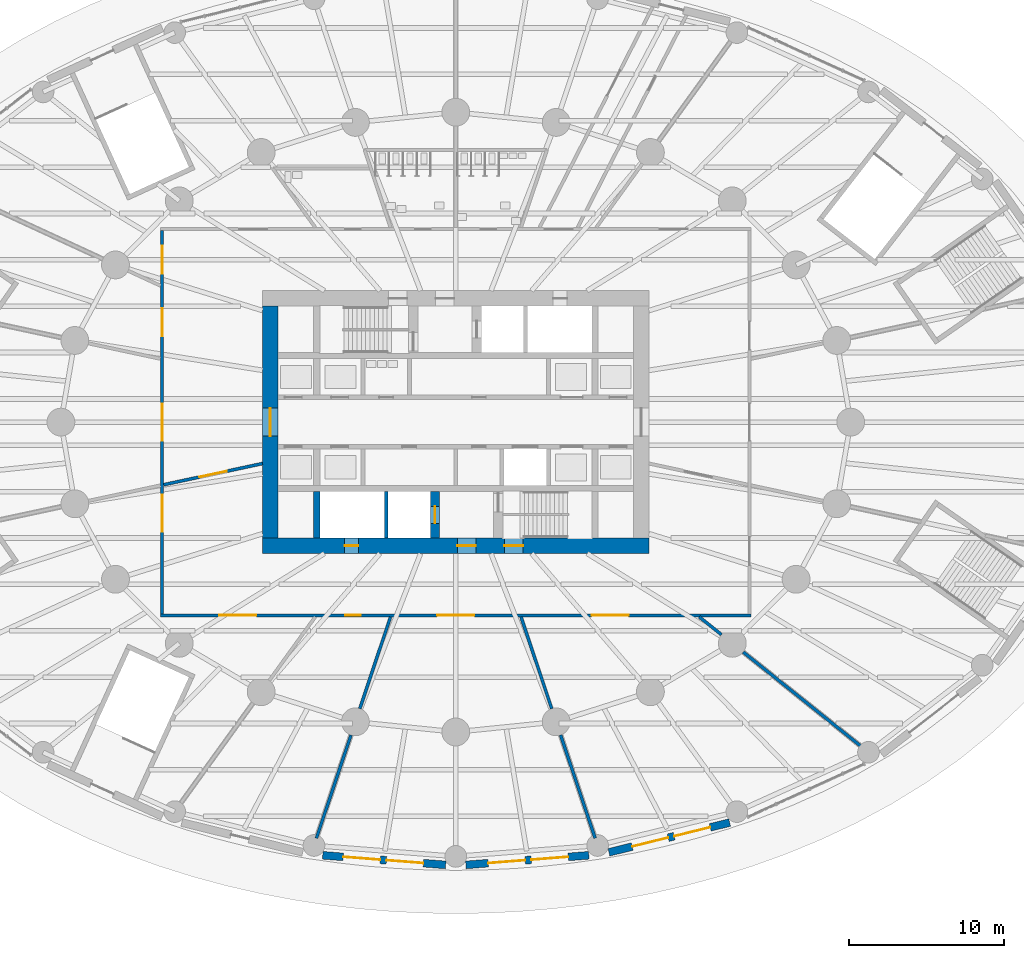
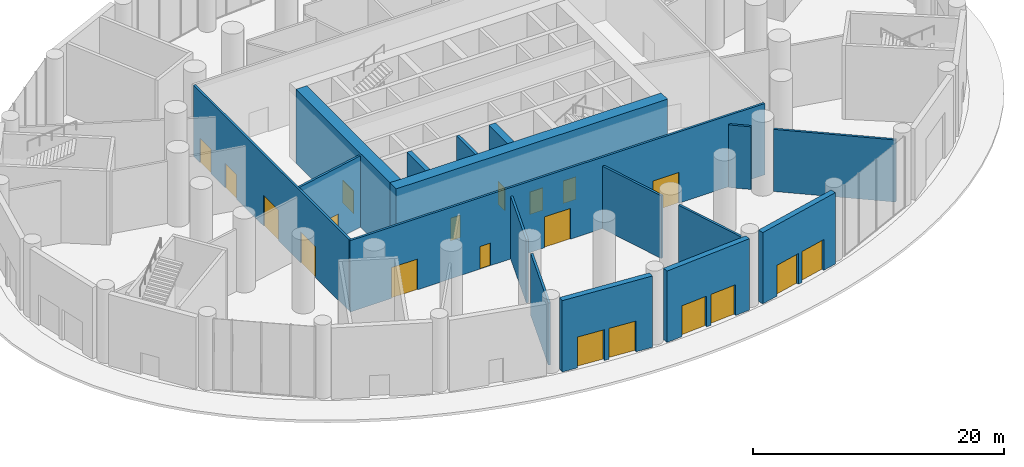
# One storey, part 14 of 22: 20 doors, 17 walls, 20 openings.
"""IFC4 building model written with IfcOpenShell, lengths in metres."""

from ifc_helpers import new_model, si_unit, direction, frame, frame_2d, origin, place, context, subcontext, project, spatial, rectangle, extrude, material, layer, layer_set, type_object, element, fill, save


model = new_model("IFC4")

# Units and contexts
model_context = context("Model", 3, precision=1e-05, world=origin(), true_north=direction((0.0, 1.0)))
body_context = subcontext(model_context, "Body", "Model", "MODEL_VIEW")
ifc_project = project(units=[si_unit("LENGTHUNIT", "METRE"), si_unit("AREAUNIT", "SQUARE_METRE"), si_unit("VOLUMEUNIT", "CUBIC_METRE"), si_unit("PLANEANGLEUNIT", "RADIAN"), si_unit("MASSUNIT", "GRAM", prefix="KILO")], contexts=[model_context])

# Site, building, storey
site_placement = place(None, origin())
site = spatial("IfcSite", under=ifc_project, at=site_placement, CompositionType="ELEMENT")
building_placement = place(site_placement, origin())
building = spatial("IfcBuilding", under=site, at=building_placement, Name="Hankou Lantern Tower", CompositionType="ELEMENT")
storey_placement = place(building_placement, origin())
storey = spatial("IfcBuildingStorey", under=building, at=storey_placement, Name="L00", CompositionType="ELEMENT", Elevation=0.0)

# Wall, openings, doors
ifc_material_1 = material(Name="Concrete C60", Category="concrete")
ifc_layer_1 = layer(ifc_material_1, 1.0)
ifc_layer_set_1 = layer_set([ifc_layer_1], Name="Concrete C60")
wall_type_1 = type_object("IfcWallType", Name="CW1 CORE WALL 1000", PredefinedType="SHEAR", material=ifc_layer_set_1)
wall_1_placement = place(storey_placement, frame((12.5, -8.0, 0.0), z_axis=(0.0, 0.0, 1.0), x_axis=(-1.0, 0.0, 0.0)))
wall_1 = element("IfcWall", 1, at=wall_1_placement, inside=storey, type_object=wall_type_1, Name="Core wall south L00", PredefinedType="SHEAR", context=body_context, shape_type="SweptSolid", body=[
    extrude(rectangle(XDim=25.0, YDim=1.0, at=frame_2d((12.5, 0.0))), origin(), (0.0, 0.0, 1.0), 7.199951171875),
])
opening_1_placement = place(wall_1_placement, frame((11.199951171875, 0.0, 0.0)))
opening_1 = element("IfcOpeningElement", 2, at=opening_1_placement, cuts=wall_1, Name="Opening D5", PredefinedType="OPENING", context=body_context, shape_type="SweptSolid", body=[
    extrude(rectangle(XDim=1.199951171875, YDim=2.199951171875, at=frame_2d((0.60009765625, 1.10009765625))), frame((0.0, 0.510009765625, 0.0), z_axis=(0.0, -1.0, 0.0), x_axis=(1.0, 0.0, 0.0)), (0.0, 0.0, 1.0), 1.02001953125),
])
opening_2_placement = place(wall_1_placement, frame((8.14990234375, 0.0, 0.0)))
opening_2 = element("IfcOpeningElement", 3, at=opening_2_placement, cuts=wall_1, Name="Opening D5", PredefinedType="OPENING", context=body_context, shape_type="SweptSolid", body=[
    extrude(rectangle(XDim=1.199951171875, YDim=2.199951171875, at=frame_2d((0.60009765625, 1.10009765625))), frame((0.0, 0.510009765625, 0.0), z_axis=(0.0, -1.0, 0.0), x_axis=(1.0, 0.0, 0.0)), (0.0, 0.0, 1.0), 1.02001953125),
])
opening_3_placement = place(wall_1_placement, frame((18.800048828125, 0.0, 0.0)))
opening_3 = element("IfcOpeningElement", 4, at=opening_3_placement, cuts=wall_1, Name="Opening D44", PredefinedType="OPENING", context=body_context, shape_type="SweptSolid", body=[
    extrude(rectangle(XDim=0.89990234375, YDim=2.199951171875, at=frame_2d((0.449951171875, 1.10009765625))), frame((0.0, 0.510009765625, 0.0), z_axis=(0.0, -1.0, 0.0), x_axis=(1.0, 0.0, 0.0)), (0.0, 0.0, 1.0), 1.02001953125),
])
ifc_material_2 = material(Name="Steel door leaf", Category="steel")
door_type_1 = type_object("IfcDoorType", Name="D44 CLASS B RISER DOOR 900X2200", OperationType="SINGLE_SWING_LEFT", PredefinedType="DOOR", material=ifc_material_2)
door_1_placement = place(opening_3_placement, origin())
door_1 = element("IfcDoor", 5, at=door_1_placement, inside=storey, type_object=door_type_1, Name="Riser S1 door", OperationType="SINGLE_SWING_RIGHT", OverallHeight=2.199951171875, OverallWidth=0.89990234375, PredefinedType="DOOR", context=body_context, shape_type="SweptSolid", body=[
    extrude(rectangle(XDim=0.89990234375, YDim=2.199951171875, at=frame_2d((0.449951171875, 1.10009765625))), frame((0.0, 0.02490234375, 0.0), z_axis=(0.0, -1.0, 0.0), x_axis=(1.0, 0.0, 0.0)), (0.0, 0.0, 1.0), 0.050048828125),
])
fill(opening_3, door_1)
ifc_material_3 = material(Name="Steel door leaf", Category="steel")
door_type_2 = type_object("IfcDoorType", Name="D5 STAIR LOBBY DOOR 1200X2200", OperationType="SINGLE_SWING_LEFT", PredefinedType="DOOR", material=ifc_material_3)
door_2_placement = place(opening_1_placement, origin())
door_2 = element("IfcDoor", 6, at=door_2_placement, inside=storey, type_object=door_type_2, Name="Stair B lobby door", OperationType="SINGLE_SWING_LEFT", OverallHeight=2.199951171875, OverallWidth=1.199951171875, PredefinedType="DOOR", context=body_context, shape_type="SweptSolid", body=[
    extrude(rectangle(XDim=1.199951171875, YDim=2.199951171875, at=frame_2d((0.60009765625, 1.10009765625))), frame((0.0, 0.02490234375, 0.0), z_axis=(0.0, -1.0, 0.0), x_axis=(1.0, 0.0, 0.0)), (0.0, 0.0, 1.0), 0.050048828125),
])
fill(opening_1, door_2)
door_3_placement = place(opening_2_placement, origin())
door_3 = element("IfcDoor", 7, at=door_3_placement, inside=storey, type_object=door_type_2, Name="Stair B basement exit door", OperationType="SINGLE_SWING_LEFT", OverallHeight=2.199951171875, OverallWidth=1.199951171875, PredefinedType="DOOR", context=body_context, shape_type="SweptSolid", body=[
    extrude(rectangle(XDim=1.199951171875, YDim=2.199951171875, at=frame_2d((0.60009765625, 1.10009765625))), frame((0.0, 0.02490234375, 0.0), z_axis=(0.0, -1.0, 0.0), x_axis=(1.0, 0.0, 0.0)), (0.0, 0.0, 1.0), 0.050048828125),
])
fill(opening_2, door_3)

# Wall, opening, door
wall_2_placement = place(storey_placement, frame((-12.0, 7.5, 0.0), z_axis=(0.0, 0.0, 1.0), x_axis=(0.0, -1.0, 0.0)))
wall_2 = element("IfcWall", 8, at=wall_2_placement, inside=storey, type_object=wall_type_1, Name="Core wall west L00", PredefinedType="SHEAR", context=body_context, shape_type="SweptSolid", body=[
    extrude(rectangle(XDim=15.0, YDim=1.0, at=frame_2d((7.5, 0.0))), origin(), (0.0, 0.0, 1.0), 7.199951171875),
])
opening_4_placement = place(wall_2_placement, frame((6.60009765625, 0.0, 0.0)))
opening_4 = element("IfcOpeningElement", 9, at=opening_4_placement, cuts=wall_2, Name="Opening D6", PredefinedType="OPENING", context=body_context, shape_type="SweptSolid", body=[
    extrude(rectangle(XDim=1.800048828125, YDim=2.199951171875, at=frame_2d((0.89990234375, 1.10009765625))), frame((0.0, 0.510009765625, 0.0), z_axis=(0.0, -1.0, 0.0), x_axis=(1.0, 0.0, 0.0)), (0.0, 0.0, 1.0), 1.02001953125),
])
ifc_material_4 = material(Name="Steel door leaf", Category="steel")
door_type_3 = type_object("IfcDoorType", Name="D6 LIFT LOBBY DOOR 1800X2200", OperationType="DOUBLE_DOOR_DOUBLE_SWING", PredefinedType="DOOR", material=ifc_material_4)
door_4_placement = place(opening_4_placement, origin())
door_4 = element("IfcDoor", 10, at=door_4_placement, inside=storey, type_object=door_type_3, Name="Lift lobby west door", OperationType="DOUBLE_DOOR_DOUBLE_SWING", OverallHeight=2.199951171875, OverallWidth=1.800048828125, PredefinedType="DOOR", context=body_context, shape_type="SweptSolid", body=[
    extrude(rectangle(XDim=1.800048828125, YDim=2.199951171875, at=frame_2d((0.89990234375, 1.10009765625))), frame((0.0, 0.02490234375, 0.0), z_axis=(0.0, -1.0, 0.0), x_axis=(1.0, 0.0, 0.0)), (0.0, 0.0, 1.0), 0.050048828125),
])
fill(opening_4, door_4)

# Wall
ifc_material_5 = material(Name="Concrete C60", Category="concrete")
ifc_layer_2 = layer(ifc_material_5, 0.39990234375)
ifc_layer_set_2 = layer_set([ifc_layer_2], Name="Concrete C60")
wall_type_2 = type_object("IfcWallType", Name="CW4 CORE CROSS WALL 400", PredefinedType="SHEAR", material=ifc_layer_set_2)
wall_3_placement = place(storey_placement, frame((-9.0, -7.5, 0.0), z_axis=(0.0, 0.0, 1.0), x_axis=(0.0, 1.0, 0.0)))
element("IfcWall", 11, at=wall_3_placement, inside=storey, type_object=wall_type_2, Name="Core strip wall L00", PredefinedType="SHEAR", context=body_context, shape_type="SweptSolid", body=[
    extrude(rectangle(XDim=3.0, YDim=0.39990234375, at=frame_2d((1.5, 0.0))), origin(), (0.0, 0.0, 1.0), 7.199951171875),
])

# Wall, opening, door
ifc_material_6 = material(Name="Concrete C60", Category="concrete")
ifc_layer_3 = layer(ifc_material_6, 0.60009765625)
ifc_layer_set_3 = layer_set([ifc_layer_3], Name="Concrete C60")
wall_type_3 = type_object("IfcWallType", Name="CW6 STAIR AND SHAFT WALL 600", PredefinedType="SHEAR", material=ifc_layer_set_3)
wall_4_placement = place(storey_placement, frame((-1.35009765625, -7.5, 0.0), z_axis=(0.0, 0.0, 1.0), x_axis=(0.0, 1.0, 0.0)))
wall_4 = element("IfcWall", 12, at=wall_4_placement, inside=storey, type_object=wall_type_3, Name="Firefighting lift shaft wall L00", PredefinedType="SHEAR", context=body_context, shape_type="SweptSolid", body=[
    extrude(rectangle(XDim=3.0, YDim=0.60009765625, at=frame_2d((1.5, 0.0))), origin(), (0.0, 0.0, 1.0), 7.199951171875),
])
opening_5_placement = place(wall_4_placement, frame((0.949951171875, 0.0, 0.0)))
opening_5 = element("IfcOpeningElement", 13, at=opening_5_placement, cuts=wall_4, Name="Opening LD2", PredefinedType="OPENING", context=body_context, shape_type="SweptSolid", body=[
    extrude(rectangle(XDim=1.10009765625, YDim=2.199951171875, at=frame_2d((0.550048828125, 1.10009765625))), frame((0.0, 0.31005859375, 0.0), z_axis=(0.0, -1.0, 0.0), x_axis=(1.0, 0.0, 0.0)), (0.0, 0.0, 1.0), 0.6201171875),
])
ifc_material_7 = material(Name="Steel door leaf", Category="steel")
door_type_4 = type_object("IfcDoorType", Name="LD2 FIREFIGHTING LIFT LANDING DOOR 1100X2200", OperationType="DOUBLE_DOOR_SLIDING", PredefinedType="DOOR", material=ifc_material_7)
door_5_placement = place(opening_5_placement, origin())
door_5 = element("IfcDoor", 14, at=door_5_placement, inside=storey, type_object=door_type_4, Name="Firefighting lift FL2 landing door", OperationType="DOUBLE_DOOR_SLIDING", OverallHeight=2.199951171875, OverallWidth=1.10009765625, PredefinedType="DOOR", context=body_context, shape_type="SweptSolid", body=[
    extrude(rectangle(XDim=1.10009765625, YDim=2.199951171875, at=frame_2d((0.550048828125, 1.10009765625))), frame((0.0, 0.02490234375, 0.0), z_axis=(0.0, -1.0, 0.0), x_axis=(1.0, 0.0, 0.0)), (0.0, 0.0, 1.0), 0.050048828125),
])
fill(opening_5, door_5)

# Wall, openings, doors
ifc_material_8 = material(Name="Granite cladding on reinforced concrete C50", Category="masonry")
ifc_layer_4 = layer(ifc_material_8, 0.5)
ifc_layer_set_4 = layer_set([ifc_layer_4], Name="Granite cladding on reinforced concrete C50")
wall_type_4 = type_object("IfcWallType", Name="EW2 STONE PORTAL WALL 500", PredefinedType="SOLIDWALL", material=ifc_layer_set_4)
wall_5_placement = place(storey_placement, frame((-8.607666015625, -28.026123046875, 0.0), z_axis=(0.0, 0.0, 1.0), x_axis=(0.996950620384, -0.078034995456, 0.0)))
wall_5 = element("IfcWall", 15, at=wall_5_placement, inside=storey, type_object=wall_type_4, Name="Portal wall R18 L00", PredefinedType="SOLIDWALL", context=body_context, shape_type="SweptSolid", body=[
    extrude(rectangle(XDim=7.97802734375, YDim=0.5, at=frame_2d((3.989013671875, 0.0))), origin(), (0.0, 0.0, 1.0), 6.949951171875),
])
opening_6_placement = place(wall_5_placement, frame((1.336181640625, 0.0, 0.0)))
opening_6 = element("IfcOpeningElement", 16, at=opening_6_placement, cuts=wall_5, Name="Opening D18", PredefinedType="OPENING", context=body_context, shape_type="SweptSolid", body=[
    extrude(rectangle(XDim=2.39990234375, YDim=3.0, at=frame_2d((1.199951171875, 1.5))), frame((0.0, 0.260009765625, 0.0), z_axis=(0.0, -1.0, 0.0), x_axis=(1.0, 0.0, 0.0)), (0.0, 0.0, 1.0), 0.52001953125),
])
opening_7_placement = place(wall_5_placement, frame((4.135986328125, 0.0, 0.0)))
opening_7 = element("IfcOpeningElement", 17, at=opening_7_placement, cuts=wall_5, Name="Opening D18", PredefinedType="OPENING", context=body_context, shape_type="SweptSolid", body=[
    extrude(rectangle(XDim=2.39990234375, YDim=3.0, at=frame_2d((1.199951171875, 1.5))), frame((0.0, 0.260009765625, 0.0), z_axis=(0.0, -1.0, 0.0), x_axis=(1.0, 0.0, 0.0)), (0.0, 0.0, 1.0), 0.52001953125),
])
ifc_material_9 = material(Name="Aluminium framed glazed door", Category="aluminium")
door_type_5 = type_object("IfcDoorType", Name="D18 ENTRANCE DOOR 2400X3000", OperationType="DOUBLE_DOOR_DOUBLE_SWING", PredefinedType="DOOR", material=ifc_material_9)
door_6_placement = place(opening_6_placement, origin())
door_6 = element("IfcDoor", 18, at=door_6_placement, inside=storey, type_object=door_type_5, Name="Entrance door R18a", OperationType="DOUBLE_DOOR_DOUBLE_SWING", OverallHeight=3.0, OverallWidth=2.39990234375, PredefinedType="DOOR", context=body_context, shape_type="SweptSolid", body=[
    extrude(rectangle(XDim=2.39990234375, YDim=3.0, at=frame_2d((1.199951171875, 1.5))), frame((0.0, 0.02490234375, 0.0), z_axis=(0.0, -1.0, 0.0), x_axis=(1.0, 0.0, 0.0)), (0.0, 0.0, 1.0), 0.050048828125),
])
fill(opening_6, door_6)
door_7_placement = place(opening_7_placement, origin())
door_7 = element("IfcDoor", 19, at=door_7_placement, inside=storey, type_object=door_type_5, Name="Entrance door R18b", OperationType="DOUBLE_DOOR_DOUBLE_SWING", OverallHeight=3.0, OverallWidth=2.39990234375, PredefinedType="DOOR", context=body_context, shape_type="SweptSolid", body=[
    extrude(rectangle(XDim=2.39990234375, YDim=3.0, at=frame_2d((1.199951171875, 1.5))), frame((0.0, 0.02490234375, 0.0), z_axis=(0.0, -1.0, 0.0), x_axis=(1.0, 0.0, 0.0)), (0.0, 0.0, 1.0), 0.050048828125),
])
fill(opening_7, door_7)

wall_6_placement = place(storey_placement, frame((0.654052734375, -28.648681640625, 0.0), z_axis=(0.0, 0.0, 1.0), x_axis=(0.996950620384, 0.078034995456, 0.0)))
wall_6 = element("IfcWall", 20, at=wall_6_placement, inside=storey, type_object=wall_type_4, Name="Portal wall R19 L00", PredefinedType="SOLIDWALL", context=body_context, shape_type="SweptSolid", body=[
    extrude(rectangle(XDim=7.97802734375, YDim=0.5, at=frame_2d((3.989013671875, 0.0))), origin(), (0.0, 0.0, 1.0), 6.949951171875),
])
opening_8_placement = place(wall_6_placement, frame((1.441650390625, 0.0, 0.0)))
opening_8 = element("IfcOpeningElement", 21, at=opening_8_placement, cuts=wall_6, Name="Opening D18", PredefinedType="OPENING", context=body_context, shape_type="SweptSolid", body=[
    extrude(rectangle(XDim=2.39990234375, YDim=3.0, at=frame_2d((1.199951171875, 1.5))), frame((0.0, 0.260009765625, 0.0), z_axis=(0.0, -1.0, 0.0), x_axis=(1.0, 0.0, 0.0)), (0.0, 0.0, 1.0), 0.52001953125),
])
opening_9_placement = place(wall_6_placement, frame((4.24169921875, 0.0, 0.0)))
opening_9 = element("IfcOpeningElement", 22, at=opening_9_placement, cuts=wall_6, Name="Opening D18", PredefinedType="OPENING", context=body_context, shape_type="SweptSolid", body=[
    extrude(rectangle(XDim=2.39990234375, YDim=3.0, at=frame_2d((1.199951171875, 1.5))), frame((0.0, 0.260009765625, 0.0), z_axis=(0.0, -1.0, 0.0), x_axis=(1.0, 0.0, 0.0)), (0.0, 0.0, 1.0), 0.52001953125),
])
door_8_placement = place(opening_8_placement, origin())
door_8 = element("IfcDoor", 23, at=door_8_placement, inside=storey, type_object=door_type_5, Name="Entrance door R19a", OperationType="DOUBLE_DOOR_DOUBLE_SWING", OverallHeight=3.0, OverallWidth=2.39990234375, PredefinedType="DOOR", context=body_context, shape_type="SweptSolid", body=[
    extrude(rectangle(XDim=2.39990234375, YDim=3.0, at=frame_2d((1.199951171875, 1.5))), frame((0.0, 0.02490234375, 0.0), z_axis=(0.0, -1.0, 0.0), x_axis=(1.0, 0.0, 0.0)), (0.0, 0.0, 1.0), 0.050048828125),
])
fill(opening_8, door_8)
door_9_placement = place(opening_9_placement, origin())
door_9 = element("IfcDoor", 24, at=door_9_placement, inside=storey, type_object=door_type_5, Name="Entrance door R19b", OperationType="DOUBLE_DOOR_DOUBLE_SWING", OverallHeight=3.0, OverallWidth=2.39990234375, PredefinedType="DOOR", context=body_context, shape_type="SweptSolid", body=[
    extrude(rectangle(XDim=2.39990234375, YDim=3.0, at=frame_2d((1.199951171875, 1.5))), frame((0.0, 0.02490234375, 0.0), z_axis=(0.0, -1.0, 0.0), x_axis=(1.0, 0.0, 0.0)), (0.0, 0.0, 1.0), 0.050048828125),
])
fill(opening_9, door_9)

wall_7_placement = place(storey_placement, frame((9.90673828125, -27.83349609375, 0.0), z_axis=(0.0, 0.0, 1.0), x_axis=(0.970964815964, 0.23922233625, 0.0)))
wall_7 = element("IfcWall", 25, at=wall_7_placement, inside=storey, type_object=wall_type_4, Name="Portal wall R20 L00", PredefinedType="SOLIDWALL", context=body_context, shape_type="SweptSolid", body=[
    extrude(rectangle(XDim=8.048095703125, YDim=0.5, at=frame_2d((4.02392578125, 0.0))), origin(), (0.0, 0.0, 1.0), 6.949951171875),
])
opening_10_placement = place(wall_7_placement, frame((1.552978515625, 0.0, 0.0)))
opening_10 = element("IfcOpeningElement", 26, at=opening_10_placement, cuts=wall_7, Name="Opening D18", PredefinedType="OPENING", context=body_context, shape_type="SweptSolid", body=[
    extrude(rectangle(XDim=2.39990234375, YDim=3.0, at=frame_2d((1.199951171875, 1.5))), frame((0.0, 0.260009765625, 0.0), z_axis=(0.0, -1.0, 0.0), x_axis=(1.0, 0.0, 0.0)), (0.0, 0.0, 1.0), 0.52001953125),
])
opening_11_placement = place(wall_7_placement, frame((4.35302734375, 0.0, 0.0)))
opening_11 = element("IfcOpeningElement", 27, at=opening_11_placement, cuts=wall_7, Name="Opening D18", PredefinedType="OPENING", context=body_context, shape_type="SweptSolid", body=[
    extrude(rectangle(XDim=2.39990234375, YDim=3.0, at=frame_2d((1.199951171875, 1.5))), frame((0.0, 0.260009765625, 0.0), z_axis=(0.0, -1.0, 0.0), x_axis=(1.0, 0.0, 0.0)), (0.0, 0.0, 1.0), 0.52001953125),
])
door_10_placement = place(opening_10_placement, origin())
door_10 = element("IfcDoor", 28, at=door_10_placement, inside=storey, type_object=door_type_5, Name="Entrance door R20a", OperationType="DOUBLE_DOOR_DOUBLE_SWING", OverallHeight=3.0, OverallWidth=2.39990234375, PredefinedType="DOOR", context=body_context, shape_type="SweptSolid", body=[
    extrude(rectangle(XDim=2.39990234375, YDim=3.0, at=frame_2d((1.199951171875, 1.5))), frame((0.0, 0.02490234375, 0.0), z_axis=(0.0, -1.0, 0.0), x_axis=(1.0, 0.0, 0.0)), (0.0, 0.0, 1.0), 0.050048828125),
])
fill(opening_10, door_10)
door_11_placement = place(opening_11_placement, origin())
door_11 = element("IfcDoor", 29, at=door_11_placement, inside=storey, type_object=door_type_5, Name="Entrance door R20b", OperationType="DOUBLE_DOOR_DOUBLE_SWING", OverallHeight=3.0, OverallWidth=2.39990234375, PredefinedType="DOOR", context=body_context, shape_type="SweptSolid", body=[
    extrude(rectangle(XDim=2.39990234375, YDim=3.0, at=frame_2d((1.199951171875, 1.5))), frame((0.0, 0.02490234375, 0.0), z_axis=(0.0, -1.0, 0.0), x_axis=(1.0, 0.0, 0.0)), (0.0, 0.0, 1.0), 0.050048828125),
])
fill(opening_11, door_11)

# Wall, opening, door
ifc_material_10 = material(Name="Masonry dense concrete block", Category="masonry")
ifc_layer_5 = layer(ifc_material_10, 0.199951171875)
ifc_layer_set_5 = layer_set([ifc_layer_5], Name="Masonry dense concrete block")
wall_type_5 = type_object("IfcWallType", Name="FW1 COMPARTMENT FIRE WALL 200", PredefinedType="PARTITIONING", material=ifc_layer_set_5)
wall_8_placement = place(storey_placement, frame((-18.89990234375, -4.051513671875, 0.0), z_axis=(0.0, 0.0, 1.0), x_axis=(0.977781666858, 0.2096258857, 0.0)))
wall_8 = element("IfcWall", 30, at=wall_8_placement, inside=storey, type_object=wall_type_5, Name="Fire wall R14 across the foyer", PredefinedType="PARTITIONING", context=body_context, shape_type="SweptSolid", body=[
    extrude(rectangle(XDim=6.54541015625, YDim=0.199951171875, at=frame_2d((3.272705078125, 0.0))), origin(), (0.0, 0.0, 1.0), 6.949951171875),
])
opening_12_placement = place(wall_8_placement, frame((2.373046875, 0.0, 0.0)))
opening_12 = element("IfcOpeningElement", 31, at=opening_12_placement, cuts=wall_8, Name="Opening D36", PredefinedType="OPENING", context=body_context, shape_type="SweptSolid", body=[
    extrude(rectangle(XDim=1.800048828125, YDim=2.39990234375, at=frame_2d((0.89990234375, 1.199951171875))), frame((0.0, 0.10986328125, 0.0), z_axis=(0.0, -1.0, 0.0), x_axis=(1.0, 0.0, 0.0)), (0.0, 0.0, 1.0), 0.219970703125),
])
ifc_material_11 = material(Name="Steel door leaf", Category="steel")
door_type_6 = type_object("IfcDoorType", Name="D36 CLASS A DOUBLE DOOR 1800X2400", OperationType="DOUBLE_DOOR_DOUBLE_SWING", PredefinedType="DOOR", material=ifc_material_11)
door_12_placement = place(opening_12_placement, origin())
door_12 = element("IfcDoor", 32, at=door_12_placement, inside=storey, type_object=door_type_6, Name="Fire wall R14 door", OperationType="DOUBLE_DOOR_DOUBLE_SWING", OverallHeight=2.39990234375, OverallWidth=1.800048828125, PredefinedType="DOOR", context=body_context, shape_type="SweptSolid", body=[
    extrude(rectangle(XDim=1.800048828125, YDim=2.39990234375, at=frame_2d((0.89990234375, 1.199951171875))), frame((0.0, 0.02490234375, 0.0), z_axis=(0.0, -1.0, 0.0), x_axis=(1.0, 0.0, 0.0)), (0.0, 0.0, 1.0), 0.050048828125),
])
fill(opening_12, door_12)

# Walls
ifc_material_12 = material(Name="Masonry lightweight concrete block", Category="masonry")
ifc_layer_6 = layer(ifc_material_12, 0.199951171875)
ifc_layer_set_6 = layer_set([ifc_layer_6], Name="Masonry lightweight concrete block")
wall_type_6 = type_object("IfcWallType", Name="IW8 PARTITION 200", PredefinedType="PARTITIONING", material=ifc_layer_set_6)
wall_9_placement = place(storey_placement, frame((15.75, -12.60009765625, 0.0), z_axis=(0.0, 0.0, 1.0), x_axis=(0.780881734892, -0.6246788904, 0.0)))
element("IfcWall", 33, at=wall_9_placement, inside=storey, type_object=wall_type_6, Name="Partition R22", PredefinedType="PARTITIONING", context=body_context, shape_type="SweptSolid", body=[
    extrude(rectangle(XDim=1.8427734375, YDim=0.199951171875, at=frame_2d((0.92138671875, 0.0))), origin(), (0.0, 0.0, 1.0), 6.10009765625),
])
wall_10_placement = place(storey_placement, frame((18.594482421875, -14.87548828125, 0.0), z_axis=(0.0, 0.0, 1.0), x_axis=(0.780868809443, -0.624695047554, 0.0)))
element("IfcWall", 34, at=wall_10_placement, inside=storey, type_object=wall_type_6, Name="Partition R22", PredefinedType="PARTITIONING", context=body_context, shape_type="SweptSolid", body=[
    extrude(rectangle(XDim=9.883056640625, YDim=0.199951171875, at=frame_2d((4.94140625, 0.0))), origin(), (0.0, 0.0, 1.0), 6.050048828125),
])

# Wall, openings, doors
ifc_material_13 = material(Name="Masonry dense concrete block", Category="masonry")
ifc_layer_7 = layer(ifc_material_13, 0.199951171875)
ifc_layer_set_7 = layer_set([ifc_layer_7], Name="Masonry dense concrete block")
wall_type_7 = type_object("IfcWallType", Name="IW9 2 H FIRE PARTITION 200", PredefinedType="PARTITIONING", material=ifc_layer_set_7)
wall_11_placement = place(storey_placement, frame((19.10009765625, -12.5, 0.0), z_axis=(0.0, 0.0, 1.0), x_axis=(-1.0, 0.0, 0.0)))
wall_11 = element("IfcWall", 35, at=wall_11_placement, inside=storey, type_object=wall_type_7, Name="Foyer wall south", PredefinedType="PARTITIONING", context=body_context, shape_type="SweptSolid", body=[
    extrude(rectangle(XDim=38.2001953125, YDim=0.199951171875, at=frame_2d((19.10009765625, 0.0))), origin(), (0.0, 0.0, 1.0), 6.949951171875),
])
opening_13_placement = place(wall_11_placement, frame((31.99658203125, 0.0, 0.0)))
opening_13 = element("IfcOpeningElement", 36, at=opening_13_placement, cuts=wall_11, Name="Opening D43", PredefinedType="OPENING", context=body_context, shape_type="SweptSolid", body=[
    extrude(rectangle(XDim=2.39990234375, YDim=3.0, at=frame_2d((1.199951171875, 1.5))), frame((0.0, 0.10986328125, 0.0), z_axis=(0.0, -1.0, 0.0), x_axis=(1.0, 0.0, 0.0)), (0.0, 0.0, 1.0), 0.219970703125),
])
opening_14_placement = place(wall_11_placement, frame((25.2568359375, 0.0, 0.0)))
opening_14 = element("IfcOpeningElement", 37, at=opening_14_placement, cuts=wall_11, Name="Opening D15", PredefinedType="OPENING", context=body_context, shape_type="SweptSolid", body=[
    extrude(rectangle(XDim=1.0, YDim=2.199951171875, at=frame_2d((0.5, 1.10009765625))), frame((0.0, 0.10986328125, 0.0), z_axis=(0.0, -1.0, 0.0), x_axis=(1.0, 0.0, 0.0)), (0.0, 0.0, 1.0), 0.219970703125),
])
opening_15_placement = place(wall_11_placement, frame((17.89990234375, 0.0, 0.0)))
opening_15 = element("IfcOpeningElement", 38, at=opening_15_placement, cuts=wall_11, Name="Opening D14", PredefinedType="OPENING", context=body_context, shape_type="SweptSolid", body=[
    extrude(rectangle(XDim=2.39990234375, YDim=3.0, at=frame_2d((1.199951171875, 1.5))), frame((0.0, 0.10986328125, 0.0), z_axis=(0.0, -1.0, 0.0), x_axis=(1.0, 0.0, 0.0)), (0.0, 0.0, 1.0), 0.219970703125),
])
opening_16_placement = place(wall_11_placement, frame((7.914794921875, 0.0, 0.0)))
opening_16 = element("IfcOpeningElement", 39, at=opening_16_placement, cuts=wall_11, Name="Opening D43", PredefinedType="OPENING", context=body_context, shape_type="SweptSolid", body=[
    extrude(rectangle(XDim=2.39990234375, YDim=3.0, at=frame_2d((1.199951171875, 1.5))), frame((0.0, 0.10986328125, 0.0), z_axis=(0.0, -1.0, 0.0), x_axis=(1.0, 0.0, 0.0)), (0.0, 0.0, 1.0), 0.219970703125),
])
ifc_material_14 = material(Name="Steel framed fire-rated glazed door", Category="steel")
door_type_7 = type_object("IfcDoorType", Name="D14 ENTRANCE DOOR 2400X3000", OperationType="DOUBLE_DOOR_DOUBLE_SWING", PredefinedType="DOOR", material=ifc_material_14)
door_13_placement = place(opening_15_placement, origin())
door_13 = element("IfcDoor", 40, at=door_13_placement, inside=storey, type_object=door_type_7, Name="Hotel entrance hall door", OperationType="DOUBLE_DOOR_DOUBLE_SWING", OverallHeight=3.0, OverallWidth=2.39990234375, PredefinedType="DOOR", context=body_context, shape_type="SweptSolid", body=[
    extrude(rectangle(XDim=2.39990234375, YDim=3.0, at=frame_2d((1.199951171875, 1.5))), frame((0.0, 0.02490234375, 0.0), z_axis=(0.0, -1.0, 0.0), x_axis=(1.0, 0.0, 0.0)), (0.0, 0.0, 1.0), 0.050048828125),
])
fill(opening_15, door_13)
ifc_material_15 = material(Name="Steel door leaf", Category="steel")
door_type_8 = type_object("IfcDoorType", Name="D15 FIRE COMMAND CENTRE DOOR 1000X2200", OperationType="SINGLE_SWING_LEFT", PredefinedType="DOOR", material=ifc_material_15)
door_14_placement = place(opening_14_placement, origin())
door_14 = element("IfcDoor", 41, at=door_14_placement, inside=storey, type_object=door_type_8, Name="Fire command centre door", OperationType="SINGLE_SWING_LEFT", OverallHeight=2.199951171875, OverallWidth=1.0, PredefinedType="DOOR", context=body_context, shape_type="SweptSolid", body=[
    extrude(rectangle(XDim=1.0, YDim=2.199951171875, at=frame_2d((0.5, 1.10009765625))), frame((0.0, 0.02490234375, 0.0), z_axis=(0.0, -1.0, 0.0), x_axis=(1.0, 0.0, 0.0)), (0.0, 0.0, 1.0), 0.050048828125),
])
fill(opening_14, door_14)
ifc_material_16 = material(Name="Steel framed fire-rated glazed door", Category="steel")
door_type_9 = type_object("IfcDoorType", Name="D43 CLASS B ENTRANCE DOOR 2400X3000", OperationType="DOUBLE_DOOR_DOUBLE_SWING", PredefinedType="DOOR", material=ifc_material_16)
door_15_placement = place(opening_13_placement, origin())
door_15 = element("IfcDoor", 42, at=door_15_placement, inside=storey, type_object=door_type_9, Name="Hotel lobby door", OperationType="DOUBLE_DOOR_DOUBLE_SWING", OverallHeight=3.0, OverallWidth=2.39990234375, PredefinedType="DOOR", context=body_context, shape_type="SweptSolid", body=[
    extrude(rectangle(XDim=2.39990234375, YDim=3.0, at=frame_2d((1.199951171875, 1.5))), frame((0.0, 0.02490234375, 0.0), z_axis=(0.0, -1.0, 0.0), x_axis=(1.0, 0.0, 0.0)), (0.0, 0.0, 1.0), 0.050048828125),
])
fill(opening_13, door_15)
door_16_placement = place(opening_16_placement, origin())
door_16 = element("IfcDoor", 43, at=door_16_placement, inside=storey, type_object=door_type_9, Name="Observation ticket hall door", OperationType="DOUBLE_DOOR_DOUBLE_SWING", OverallHeight=3.0, OverallWidth=2.39990234375, PredefinedType="DOOR", context=body_context, shape_type="SweptSolid", body=[
    extrude(rectangle(XDim=2.39990234375, YDim=3.0, at=frame_2d((1.199951171875, 1.5))), frame((0.0, 0.02490234375, 0.0), z_axis=(0.0, -1.0, 0.0), x_axis=(1.0, 0.0, 0.0)), (0.0, 0.0, 1.0), 0.050048828125),
])
fill(opening_16, door_16)

wall_12_placement = place(storey_placement, frame((-19.0, 12.39990234375, 0.0), z_axis=(0.0, 0.0, 1.0), x_axis=(0.0, -1.0, 0.0)))
wall_12 = element("IfcWall", 44, at=wall_12_placement, inside=storey, type_object=wall_type_7, Name="Foyer wall west", PredefinedType="PARTITIONING", context=body_context, shape_type="SweptSolid", body=[
    extrude(rectangle(XDim=24.7998046875, YDim=0.199951171875, at=frame_2d((12.39990234375, 0.0))), origin(), (0.0, 0.0, 1.0), 6.949951171875),
])
opening_17_placement = place(wall_12_placement, frame((5.0419921875, 0.0, 0.0)))
opening_17 = element("IfcOpeningElement", 45, at=opening_17_placement, cuts=wall_12, Name="Opening D8", PredefinedType="OPENING", context=body_context, shape_type="SweptSolid", body=[
    extrude(rectangle(XDim=1.800048828125, YDim=2.39990234375, at=frame_2d((0.89990234375, 1.199951171875))), frame((0.0, 0.10986328125, 0.0), z_axis=(0.0, -1.0, 0.0), x_axis=(1.0, 0.0, 0.0)), (0.0, 0.0, 1.0), 0.219970703125),
])
opening_18_placement = place(wall_12_placement, frame((11.199951171875, 0.0, 0.0)))
opening_18 = element("IfcOpeningElement", 46, at=opening_18_placement, cuts=wall_12, Name="Opening D14", PredefinedType="OPENING", context=body_context, shape_type="SweptSolid", body=[
    extrude(rectangle(XDim=2.39990234375, YDim=3.0, at=frame_2d((1.199951171875, 1.5))), frame((0.0, 0.10986328125, 0.0), z_axis=(0.0, -1.0, 0.0), x_axis=(1.0, 0.0, 0.0)), (0.0, 0.0, 1.0), 0.219970703125),
])
opening_19_placement = place(wall_12_placement, frame((1.0, 0.0, 0.0)))
opening_19 = element("IfcOpeningElement", 47, at=opening_19_placement, cuts=wall_12, Name="Opening D8", PredefinedType="OPENING", context=body_context, shape_type="SweptSolid", body=[
    extrude(rectangle(XDim=1.800048828125, YDim=2.39990234375, at=frame_2d((0.89990234375, 1.199951171875))), frame((0.0, 0.10986328125, 0.0), z_axis=(0.0, -1.0, 0.0), x_axis=(1.0, 0.0, 0.0)), (0.0, 0.0, 1.0), 0.219970703125),
])
opening_20_placement = place(wall_12_placement, frame((17.09423828125, 0.0, 0.0)))
opening_20 = element("IfcOpeningElement", 48, at=opening_20_placement, cuts=wall_12, Name="Opening D43", PredefinedType="OPENING", context=body_context, shape_type="SweptSolid", body=[
    extrude(rectangle(XDim=2.39990234375, YDim=3.0, at=frame_2d((1.199951171875, 1.5))), frame((0.0, 0.10986328125, 0.0), z_axis=(0.0, -1.0, 0.0), x_axis=(1.0, 0.0, 0.0)), (0.0, 0.0, 1.0), 0.219970703125),
])
door_17_placement = place(opening_18_placement, origin())
door_17 = element("IfcDoor", 49, at=door_17_placement, inside=storey, type_object=door_type_7, Name="Concourse west entrance hall door", OperationType="DOUBLE_DOOR_DOUBLE_SWING", OverallHeight=3.0, OverallWidth=2.39990234375, PredefinedType="DOOR", context=body_context, shape_type="SweptSolid", body=[
    extrude(rectangle(XDim=2.39990234375, YDim=3.0, at=frame_2d((1.199951171875, 1.5))), frame((0.0, 0.02490234375, 0.0), z_axis=(0.0, -1.0, 0.0), x_axis=(1.0, 0.0, 0.0)), (0.0, 0.0, 1.0), 0.050048828125),
])
fill(opening_18, door_17)
door_18_placement = place(opening_20_placement, origin())
door_18 = element("IfcDoor", 50, at=door_18_placement, inside=storey, type_object=door_type_9, Name="Hotel lobby second door", OperationType="DOUBLE_DOOR_DOUBLE_SWING", OverallHeight=3.0, OverallWidth=2.39990234375, PredefinedType="DOOR", context=body_context, shape_type="SweptSolid", body=[
    extrude(rectangle(XDim=2.39990234375, YDim=3.0, at=frame_2d((1.199951171875, 1.5))), frame((0.0, 0.02490234375, 0.0), z_axis=(0.0, -1.0, 0.0), x_axis=(1.0, 0.0, 0.0)), (0.0, 0.0, 1.0), 0.050048828125),
])
fill(opening_20, door_18)
ifc_material_17 = material(Name="Steel door leaf", Category="steel")
door_type_10 = type_object("IfcDoorType", Name="D8 DOUBLE DOOR 1800X2400", OperationType="DOUBLE_DOOR_DOUBLE_SWING", PredefinedType="DOOR", material=ifc_material_17)
door_19_placement = place(opening_17_placement, origin())
door_19 = element("IfcDoor", 51, at=door_19_placement, inside=storey, type_object=door_type_10, Name="Retail unit G04 door", OperationType="DOUBLE_DOOR_DOUBLE_SWING", OverallHeight=2.39990234375, OverallWidth=1.800048828125, PredefinedType="DOOR", context=body_context, shape_type="SweptSolid", body=[
    extrude(rectangle(XDim=1.800048828125, YDim=2.39990234375, at=frame_2d((0.89990234375, 1.199951171875))), frame((0.0, 0.02490234375, 0.0), z_axis=(0.0, -1.0, 0.0), x_axis=(1.0, 0.0, 0.0)), (0.0, 0.0, 1.0), 0.050048828125),
])
fill(opening_17, door_19)
door_20_placement = place(opening_19_placement, origin())
door_20 = element("IfcDoor", 52, at=door_20_placement, inside=storey, type_object=door_type_10, Name="Retail unit G03 second door", OperationType="DOUBLE_DOOR_DOUBLE_SWING", OverallHeight=2.39990234375, OverallWidth=1.800048828125, PredefinedType="DOOR", context=body_context, shape_type="SweptSolid", body=[
    extrude(rectangle(XDim=1.800048828125, YDim=2.39990234375, at=frame_2d((0.89990234375, 1.199951171875))), frame((0.0, 0.02490234375, 0.0), z_axis=(0.0, -1.0, 0.0), x_axis=(1.0, 0.0, 0.0)), (0.0, 0.0, 1.0), 0.050048828125),
])
fill(opening_19, door_20)

# Walls
wall_13_placement = place(storey_placement, frame((-4.22021484375, -12.60009765625, 0.0), z_axis=(0.0, 0.0, 1.0), x_axis=(-0.317584173452, -0.9482300843, 0.0)))
element("IfcWall", 53, at=wall_13_placement, inside=storey, type_object=wall_type_7, Name="Partition R18", PredefinedType="PARTITIONING", context=body_context, shape_type="SweptSolid", body=[
    extrude(rectangle(XDim=6.26220703125, YDim=0.199951171875, at=frame_2d((3.131103515625, 0.0))), origin(), (0.0, 0.0, 1.0), 6.10009765625),
])
wall_14_placement = place(storey_placement, frame((-6.78076171875, -20.244873046875, 0.0), z_axis=(0.0, 0.0, 1.0), x_axis=(-0.317580622989, -0.948231273425, 0.0)))
element("IfcWall", 54, at=wall_14_placement, inside=storey, type_object=wall_type_7, Name="Partition R18", PredefinedType="PARTITIONING", context=body_context, shape_type="SweptSolid", body=[
    extrude(rectangle(XDim=7.036376953125, YDim=0.199951171875, at=frame_2d((3.51806640625, 0.0))), origin(), (0.0, 0.0, 1.0), 6.050048828125),
])
wall_15_placement = place(storey_placement, frame((4.22021484375, -12.60009765625, 0.0), z_axis=(0.0, 0.0, 1.0), x_axis=(0.317584173452, -0.9482300843, 0.0)))
element("IfcWall", 55, at=wall_15_placement, inside=storey, type_object=wall_type_7, Name="Partition R20", PredefinedType="PARTITIONING", context=body_context, shape_type="SweptSolid", body=[
    extrude(rectangle(XDim=6.26220703125, YDim=0.199951171875, at=frame_2d((3.131103515625, 0.0))), origin(), (0.0, 0.0, 1.0), 6.10009765625),
])
wall_16_placement = place(storey_placement, frame((6.78076171875, -20.244873046875, 0.0), z_axis=(0.0, 0.0, 1.0), x_axis=(0.317580622989, -0.948231273425, 0.0)))
element("IfcWall", 56, at=wall_16_placement, inside=storey, type_object=wall_type_7, Name="Partition R20", PredefinedType="PARTITIONING", context=body_context, shape_type="SweptSolid", body=[
    extrude(rectangle(XDim=7.036376953125, YDim=0.199951171875, at=frame_2d((3.51806640625, 0.0))), origin(), (0.0, 0.0, 1.0), 6.050048828125),
])
ifc_material_18 = material(Name="Masonry autoclaved aerated concrete block", Category="masonry")
ifc_layer_8 = layer(ifc_material_18, 0.25)
ifc_layer_set_8 = layer_set([ifc_layer_8], Name="Masonry autoclaved aerated concrete block")
wall_type_8 = type_object("IfcWallType", Name="SW1 SHAFT BLOCK WALL 250", PredefinedType="PARTITIONING", material=ifc_layer_set_8)
wall_17_placement = place(storey_placement, frame((-4.5, -7.5, 0.0), z_axis=(0.0, 0.0, 1.0), x_axis=(0.0, 1.0, 0.0)))
element("IfcWall", 57, at=wall_17_placement, inside=storey, type_object=wall_type_8, Name="Riser wall L00", PredefinedType="PARTITIONING", context=body_context, shape_type="SweptSolid", body=[
    extrude(rectangle(XDim=3.0, YDim=0.25, at=frame_2d((1.5, 0.0))), origin(), (0.0, 0.0, 1.0), 7.199951171875),
])

save(model, "model.ifc")
